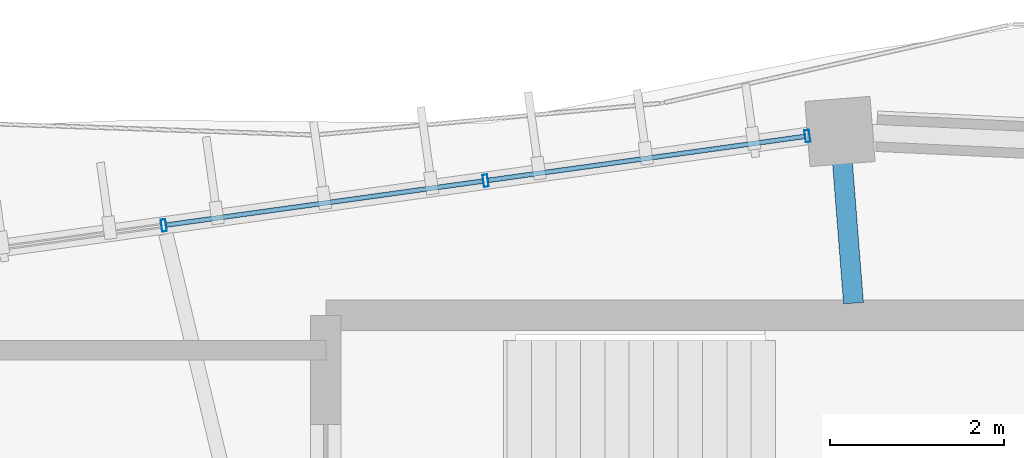
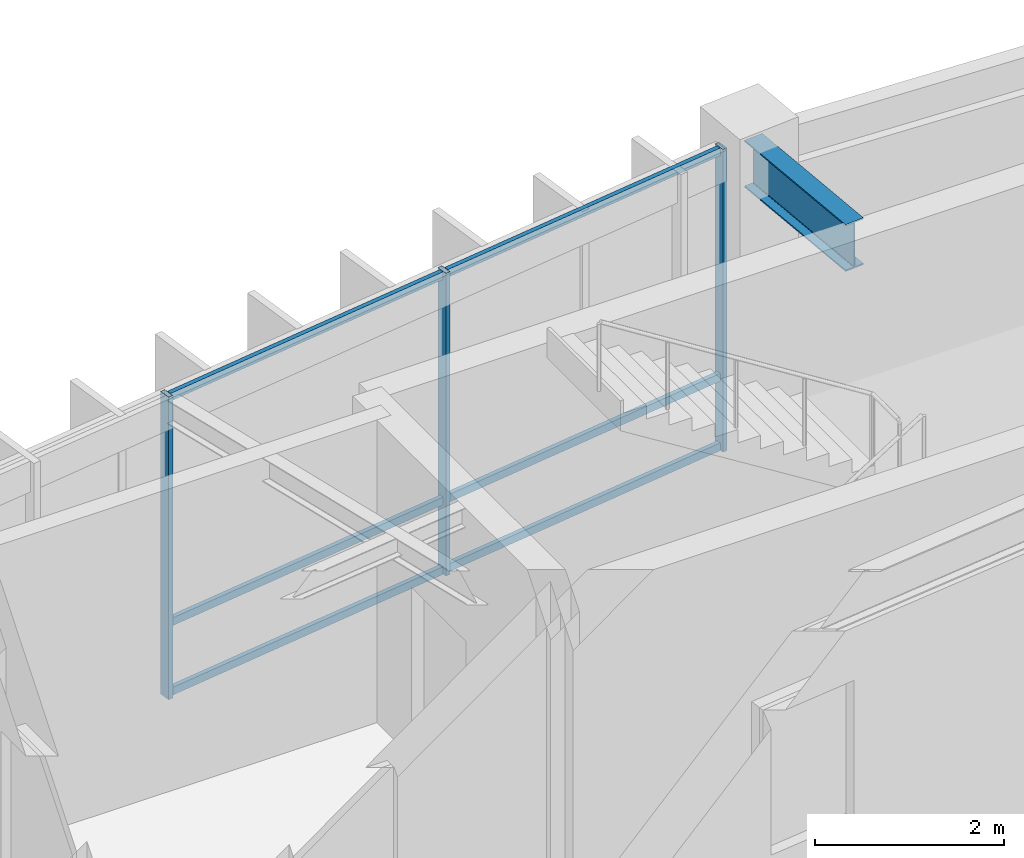
# One storey, part 75 of 152: 9 members, 1 beam, 1 element without a shape of its own.
"""IFC4 building model written with IfcOpenShell, lengths in metres."""

from ifc_helpers import new_model, si_unit, direction, frame, origin, origin_2d, place, context, subcontext, project, spatial, hollow_rectangle, i_section, extrude, material, material_profile, profile_set, type_object, element, aggregate, save


model = new_model("IFC4")

# Units and contexts
model_context = context("Model", 3, precision=1e-05, world=origin(), true_north=direction((0.0, 1.0)))
body_context = subcontext(model_context, "Body", "Model", "MODEL_VIEW")
ifc_project = project(units=[si_unit("LENGTHUNIT", "METRE"), si_unit("AREAUNIT", "SQUARE_METRE"), si_unit("VOLUMEUNIT", "CUBIC_METRE"), si_unit("PLANEANGLEUNIT", "RADIAN"), si_unit("MASSUNIT", "GRAM", prefix="KILO"), si_unit("THERMODYNAMICTEMPERATUREUNIT", "KELVIN"), si_unit("POWERUNIT", "WATT")], contexts=[model_context])

# Site, building, storey
site_placement = place(None, origin())
site = spatial("IfcSite", under=ifc_project, at=site_placement, CompositionType="ELEMENT")
building_placement = place(site_placement, origin())
building = spatial("IfcBuilding", under=site, at=building_placement, Name="Darbajah Civic Hall", CompositionType="ELEMENT")
storey_placement = place(building_placement, frame((0.0, 0.0, 5.39990234375)))
storey = spatial("IfcBuildingStorey", under=building, at=storey_placement, Name="L01", CompositionType="ELEMENT", Elevation=5.39990234375)

# Curtain wall, members
ifc_material_1 = material(Name="Anodised Bronze Aluminium and Low-E Glazing", Category="aluminium")
curtain_wall_type = type_object("IfcCurtainWallType", Name="Unitised Curtain Wall CW-23 14900x3900", PredefinedType="USERDEFINED", material=ifc_material_1)
curtain_wall_placement = place(storey_placement, origin())
curtain_wall = element("IfcCurtainWall", 1, at=curtain_wall_placement, inside=storey, type_object=curtain_wall_type, Name="L01 unitised curtain wall CW-V1O-L01-05", ObjectType="UNITISED CURTAIN WALL", PredefinedType="USERDEFINED")
ifc_material_2 = material(Name="Anodised Bronze Aluminium", Category="aluminium")
ifc_material_profile_1 = material_profile(ifc_material_2, hollow_rectangle(XDim=0.054931640625, YDim=0.139892578125, WallThickness=0.003173828125, at=origin_2d()), Name="ALU MULLION 55x140")
ifc_profile_set_1 = profile_set([ifc_material_profile_1], Name="Anodised Bronze Aluminium")
member_type_1 = type_object("IfcMemberType", Name="ALU MULLION 55x140", PredefinedType="MULLION", material=ifc_profile_set_1)
member_1_placement = place(storey_placement, frame((84.72509765625, 119.1572265625, 0.0), z_axis=(0.0, 0.0, 1.0), x_axis=(-0.990485459553, -0.137617420457, 0.0)))
member_1 = element("IfcMember", 2, at=member_1_placement, type_object=member_type_1, Name="CW-V1O-L01-05 mullion 1", PredefinedType="MULLION", context=body_context, shape_type="SweptSolid", body=[
    extrude(hollow_rectangle(XDim=0.054931640625, YDim=0.139892578125, WallThickness=0.003173828125, at=origin_2d()), origin(), (0.0, 0.0, 1.0), 3.920166015625),
])
member_2_placement = place(storey_placement, frame((81.032958984375, 118.64453125, 0.0), z_axis=(0.0, 0.0, 1.0), x_axis=(-0.990485459553, -0.137617420457, 0.0)))
member_2 = element("IfcMember", 3, at=member_2_placement, type_object=member_type_1, Name="CW-V1O-L01-05 mullion 2", PredefinedType="MULLION", context=body_context, shape_type="SweptSolid", body=[
    extrude(hollow_rectangle(XDim=0.054931640625, YDim=0.139892578125, WallThickness=0.003173828125, at=origin_2d()), origin(), (0.0, 0.0, 1.0), 3.920166015625),
])
member_3_placement = place(storey_placement, frame((77.3408203125, 118.1318359375, 0.0), z_axis=(0.0, 0.0, 1.0), x_axis=(-0.990485459553, -0.137617420457, 0.0)))
member_3 = element("IfcMember", 4, at=member_3_placement, type_object=member_type_1, Name="CW-V1O-L01-05 mullion 3", PredefinedType="MULLION", context=body_context, shape_type="SweptSolid", body=[
    extrude(hollow_rectangle(XDim=0.054931640625, YDim=0.139892578125, WallThickness=0.003173828125, at=origin_2d()), origin(), (0.0, 0.0, 1.0), 3.920166015625),
])
ifc_material_profile_2 = material_profile(ifc_material_2, hollow_rectangle(XDim=0.054931640625, YDim=0.10009765625, WallThickness=0.0029296875, at=origin_2d()), Name="ALU TRANSOM 55x100")
ifc_profile_set_2 = profile_set([ifc_material_profile_2], Name="Anodised Bronze Aluminium")
member_type_2 = type_object("IfcMemberType", Name="ALU TRANSOM 55x100", PredefinedType="USERDEFINED", material=ifc_profile_set_2)
member_4_placement = place(storey_placement, frame((84.693115234375, 119.152587890625, 0.050048828125), z_axis=(-0.990500344807, -0.137510243024, 0.0), x_axis=(0.137510243024, -0.990500344807, 0.0)))
member_4 = element("IfcMember", 5, at=member_4_placement, type_object=member_type_2, Name="CW-V1O-L01-05 transom 1.1", ObjectType="TRANSOM", PredefinedType="USERDEFINED", context=body_context, shape_type="SweptSolid", body=[
    extrude(hollow_rectangle(XDim=0.054931640625, YDim=0.10009765625, WallThickness=0.0029296875, at=origin_2d()), origin(), (0.0, 0.0, 1.0), 3.662841796875),
])
member_5_placement = place(storey_placement, frame((84.693115234375, 119.152587890625, 0.9501953125), z_axis=(-0.990500344807, -0.137510243024, 0.0), x_axis=(0.137510243024, -0.990500344807, 0.0)))
member_5 = element("IfcMember", 6, at=member_5_placement, type_object=member_type_2, Name="CW-V1O-L01-05 transom 1.2", ObjectType="TRANSOM", PredefinedType="USERDEFINED", context=body_context, shape_type="SweptSolid", body=[
    extrude(hollow_rectangle(XDim=0.054931640625, YDim=0.10009765625, WallThickness=0.0029296875, at=origin_2d()), origin(), (0.0, 0.0, 1.0), 3.662841796875),
])
member_6_placement = place(storey_placement, frame((84.693115234375, 119.152587890625, 3.8701171875), z_axis=(-0.990500344807, -0.137510243024, 0.0), x_axis=(0.137510243024, -0.990500344807, 0.0)))
member_6 = element("IfcMember", 7, at=member_6_placement, type_object=member_type_2, Name="CW-V1O-L01-05 transom 1.3", ObjectType="TRANSOM", PredefinedType="USERDEFINED", context=body_context, shape_type="SweptSolid", body=[
    extrude(hollow_rectangle(XDim=0.054931640625, YDim=0.10009765625, WallThickness=0.0029296875, at=origin_2d()), origin(), (0.0, 0.0, 1.0), 3.662841796875),
])
member_7_placement = place(storey_placement, frame((81.000732421875, 118.639892578125, 0.050048828125), z_axis=(-0.99049908429, -0.137519322356, 0.0), x_axis=(0.137519322356, -0.99049908429, 0.0)))
member_7 = element("IfcMember", 8, at=member_7_placement, type_object=member_type_2, Name="CW-V1O-L01-05 transom 2.1", ObjectType="TRANSOM", PredefinedType="USERDEFINED", context=body_context, shape_type="SweptSolid", body=[
    extrude(hollow_rectangle(XDim=0.054931640625, YDim=0.10009765625, WallThickness=0.0029296875, at=origin_2d()), origin(), (0.0, 0.0, 1.0), 3.66259765625),
])
member_8_placement = place(storey_placement, frame((81.000732421875, 118.639892578125, 0.9501953125), z_axis=(-0.99049908429, -0.137519322356, 0.0), x_axis=(0.137519322356, -0.99049908429, 0.0)))
member_8 = element("IfcMember", 9, at=member_8_placement, type_object=member_type_2, Name="CW-V1O-L01-05 transom 2.2", ObjectType="TRANSOM", PredefinedType="USERDEFINED", context=body_context, shape_type="SweptSolid", body=[
    extrude(hollow_rectangle(XDim=0.054931640625, YDim=0.10009765625, WallThickness=0.0029296875, at=origin_2d()), origin(), (0.0, 0.0, 1.0), 3.66259765625),
])
member_9_placement = place(storey_placement, frame((81.000732421875, 118.639892578125, 3.8701171875), z_axis=(-0.99049908429, -0.137519322356, 0.0), x_axis=(0.137519322356, -0.99049908429, 0.0)))
member_9 = element("IfcMember", 10, at=member_9_placement, type_object=member_type_2, Name="CW-V1O-L01-05 transom 2.3", ObjectType="TRANSOM", PredefinedType="USERDEFINED", context=body_context, shape_type="SweptSolid", body=[
    extrude(hollow_rectangle(XDim=0.054931640625, YDim=0.10009765625, WallThickness=0.0029296875, at=origin_2d()), origin(), (0.0, 0.0, 1.0), 3.66259765625),
])
aggregate(curtain_wall, [member_1, member_2, member_3, member_4, member_5, member_6, member_7, member_8, member_9])

# Beam
ifc_material_3 = material(Name="Steel S355JR", Category="steel")
ifc_material_profile_3 = material_profile(ifc_material_3, i_section(OverallWidth=0.228271484375, OverallDepth=0.607666015625, WebThickness=0.010986328125, FlangeThickness=0.017333984375, FilletRadius=0.0126953125, at=origin_2d()), Name="UB 610x229x113")
ifc_profile_set_3 = profile_set([ifc_material_profile_3], Name="Steel S355JR")
beam_type = type_object("IfcBeamType", Name="UB 610x229x113", PredefinedType="BEAM", material=ifc_profile_set_3)
beam_placement = place(storey_placement, frame((85.253662109375, 117.239990234375, 3.6162109375), z_axis=(-0.078449812785, 0.996918064273, 0.0), x_axis=(-0.996918064273, -0.078449812785, 0.0)))
element("IfcBeam", 11, at=beam_placement, inside=storey, type_object=beam_type, Name="L01 beam SB-610", PredefinedType="BEAM", context=body_context, shape_type="SweptSolid", body=[
    extrude(i_section(OverallWidth=0.228271484375, OverallDepth=0.607666015625, WebThickness=0.010986328125, FlangeThickness=0.017333984375, FilletRadius=0.0126953125, at=origin_2d()), origin(), (0.0, 0.0, 1.0), 1.895263671875),
])

save(model, "model.ifc")
